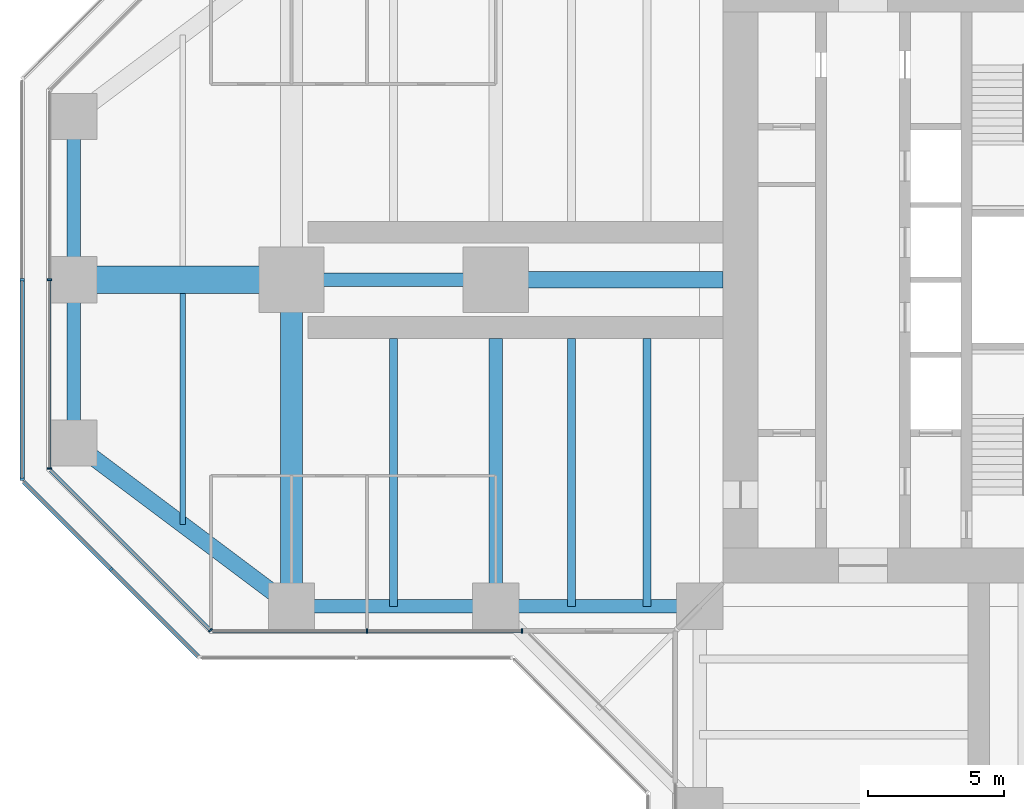
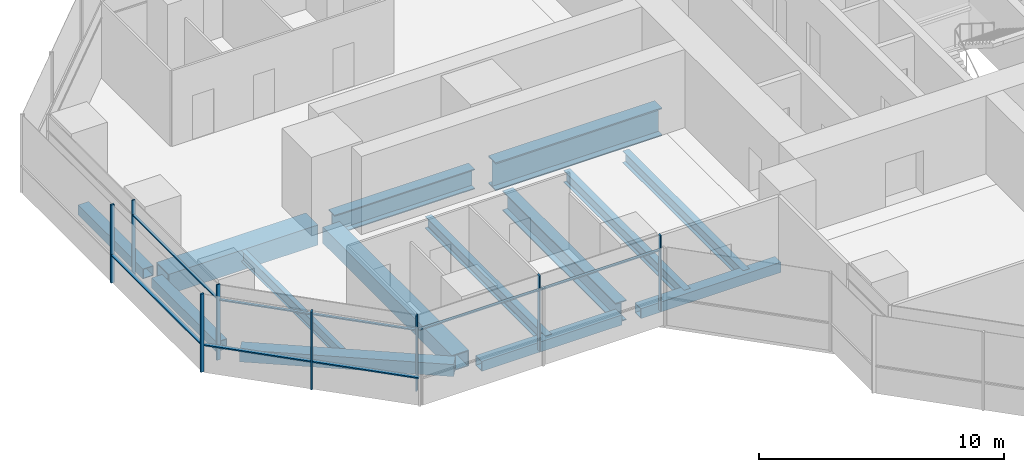
# One storey, part 3 of 20: 15 members, 14 beams, 5 elements without a shape of their own.
"""IFC4 building model written with IfcOpenShell, lengths in metres."""

from ifc_helpers import new_model, si_unit, direction, frame, origin, origin_2d, place, context, subcontext, project, spatial, rectangle, hollow_rectangle, i_section, extrude, material, material_profile, profile_set, type_object, element, aggregate, save


model = new_model("IFC4")

# Units and contexts
model_context = context("Model", 3, precision=1e-05, world=origin(), true_north=direction((0.0, 1.0)))
body_context = subcontext(model_context, "Body", "Model", "MODEL_VIEW")
ifc_project = project(units=[si_unit("LENGTHUNIT", "METRE"), si_unit("AREAUNIT", "SQUARE_METRE"), si_unit("VOLUMEUNIT", "CUBIC_METRE"), si_unit("PLANEANGLEUNIT", "RADIAN"), si_unit("MASSUNIT", "GRAM", prefix="KILO")], contexts=[model_context])

# Site, building, storey
site_placement = place(None, origin())
site = spatial("IfcSite", under=ifc_project, at=site_placement, CompositionType="ELEMENT")
building_placement = place(site_placement, origin())
building = spatial("IfcBuilding", under=site, at=building_placement, Name="Mizan Broadcast Tower", CompositionType="ELEMENT")
storey_placement = place(building_placement, frame((0.0, 0.0, 178.800048828125)))
storey = spatial("IfcBuildingStorey", under=building, at=storey_placement, Name="L41", CompositionType="ELEMENT", Elevation=178.800048828125)

# Beams
ifc_material_1 = material(Name="Steel S355", Category="steel")
ifc_material_profile_1 = material_profile(ifc_material_1, hollow_rectangle(XDim=0.5, YDim=0.5, WallThickness=0.030029296875, at=origin_2d()), Name="BOX 500x500x30")
ifc_profile_set_1 = profile_set([ifc_material_profile_1], Name="Steel S355")
beam_type_1 = type_object("IfcBeamType", Name="EDGE BEAM BOX 500x500x30", PredefinedType="SPANDREL", material=ifc_profile_set_1)
beam_1_placement = place(storey_placement, frame((-35.0, 5.639892578125, -0.380126953125), z_axis=(0.0, -1.0, 0.0), x_axis=(1.0, 0.0, 0.0)))
element("IfcBeam", 1, at=beam_1_placement, inside=storey, type_object=beam_type_1, Name="Edge beam BOX 500x500x30 L41 west arm", PredefinedType="SPANDREL", context=body_context, shape_type="SweptSolid", body=[
    extrude(hollow_rectangle(XDim=0.5, YDim=0.5, WallThickness=0.030029296875, at=origin_2d()), origin(), (0.0, 0.0, 1.0), 5.27978515625),
])
for number, where, z_axis, x_axis, name in (
    (2, (-12.449951171875, -12.0, -0.380126953125), (-1.0, 0.0, 0.0), (0.0, -1.0, 0.0), "Edge beam BOX 500x500x30 L41 west arm"),
    (3, (-19.949951171875, -12.0, -0.380126953125), (-1.0, 0.0, 0.0), (0.0, -1.0, 0.0), "Edge beam BOX 500x500x30 L41 west arm"),
):
    element("IfcBeam", number, at=place(storey_placement, frame(where, z_axis=z_axis, x_axis=x_axis)), inside=storey, type_object=beam_type_1, Name=name, PredefinedType="SPANDREL", context=body_context, shape_type="SweptSolid", body=[
        extrude(hollow_rectangle(XDim=0.5, YDim=0.5, WallThickness=0.030029296875, at=origin_2d()), origin(), (0.0, 0.0, 1.0), 6.60009765625),
    ])
beam_2_placement = place(storey_placement, frame((-35.0, -5.639892578125, -0.380126953125), z_axis=(0.0, 1.0, 0.0), x_axis=(-1.0, 0.0, 0.0)))
element("IfcBeam", 4, at=beam_2_placement, inside=storey, type_object=beam_type_1, Name="Edge beam BOX 500x500x30 L41 west arm", PredefinedType="SPANDREL", context=body_context, shape_type="SweptSolid", body=[
    extrude(hollow_rectangle(XDim=0.5, YDim=0.5, WallThickness=0.030029296875, at=origin_2d()), origin(), (0.0, 0.0, 1.0), 5.27978515625),
])
ifc_material_2 = material(Name="Steel S355", Category="steel")
ifc_material_profile_2 = material_profile(ifc_material_2, hollow_rectangle(XDim=0.60009765625, YDim=0.60009765625, WallThickness=0.030029296875, at=origin_2d()), Name="BOX 600x600x30")
ifc_profile_set_2 = profile_set([ifc_material_profile_2], Name="Steel S355")
beam_type_2 = type_object("IfcBeamType", Name="EDGE BEAM BOX 600x600x30", PredefinedType="SPANDREL", material=ifc_profile_set_2)
beam_3_placement = place(storey_placement, frame((-27.47998046875, -11.639892578125, -0.429931640625), z_axis=(-0.800013316712, 0.599982243973, 0.0), x_axis=(-0.599982243973, -0.800013316712, 0.0)))
element("IfcBeam", 5, at=beam_3_placement, inside=storey, type_object=beam_type_2, Name="Edge beam BOX 600x600x30 L41 west arm", PredefinedType="SPANDREL", context=body_context, shape_type="SweptSolid", body=[
    extrude(hollow_rectangle(XDim=0.60009765625, YDim=0.60009765625, WallThickness=0.030029296875, at=origin_2d()), origin(), (0.0, 0.0, 1.0), 8.7998046875),
])
ifc_material_3 = material(Name="Steel S460", Category="steel")
ifc_material_profile_3 = material_profile(ifc_material_3, hollow_rectangle(XDim=1.0, YDim=1.0, WallThickness=0.06005859375, at=origin_2d()), Name="BOX 1000x1000x60")
ifc_profile_set_3 = profile_set([ifc_material_profile_3], Name="Steel S460")
beam_type_3 = type_object("IfcBeamType", Name="GIRDER BOX 1000x1000x60", PredefinedType="BEAM", material=ifc_profile_set_3)
beam_4_placement = place(storey_placement, frame((-27.47998046875, 0.0, -0.630126953125), z_axis=(-1.0, 0.0, 0.0), x_axis=(0.0, -1.0, 0.0)))
element("IfcBeam", 6, at=beam_4_placement, inside=storey, type_object=beam_type_3, Name="Girder BOX 1000x1000x60 L41 west arm", PredefinedType="BEAM", context=body_context, shape_type="SweptSolid", body=[
    extrude(hollow_rectangle(XDim=1.0, YDim=1.0, WallThickness=0.06005859375, at=origin_2d()), origin(), (0.0, 0.0, 1.0), 7.0400390625),
])
ifc_material_4 = material(Name="Steel S460", Category="steel")
ifc_material_profile_4 = material_profile(ifc_material_4, hollow_rectangle(XDim=0.800048828125, YDim=0.800048828125, WallThickness=0.050048828125, at=origin_2d()), Name="BOX 800x800x50")
ifc_profile_set_4 = profile_set([ifc_material_profile_4], Name="Steel S460")
beam_type_4 = type_object("IfcBeamType", Name="GIRDER BOX 800x800x50", PredefinedType="BEAM", material=ifc_profile_set_4)
beam_5_placement = place(storey_placement, frame((-27.0, -11.280029296875, -0.530029296875), z_axis=(0.0, 1.0, 0.0), x_axis=(-1.0, 0.0, 0.0)))
element("IfcBeam", 7, at=beam_5_placement, inside=storey, type_object=beam_type_4, Name="Girder BOX 800x800x50 L41 west arm", PredefinedType="BEAM", context=body_context, shape_type="SweptSolid", body=[
    extrude(hollow_rectangle(XDim=0.800048828125, YDim=0.800048828125, WallThickness=0.050048828125, at=origin_2d()), origin(), (0.0, 0.0, 1.0), 10.56005859375),
])
ifc_material_5 = material(Name="Steel S460", Category="steel")
ifc_material_profile_5 = material_profile(ifc_material_5, i_section(OverallWidth=0.5, OverallDepth=1.0, WebThickness=0.02490234375, FlangeThickness=0.050048828125, at=origin_2d()), Name="WPG 1000x500")
ifc_profile_set_5 = profile_set([ifc_material_profile_5], Name="Steel S460")
beam_type_5 = type_object("IfcBeamType", Name="GIRDER WPG 1000x500", PredefinedType="BEAM", material=ifc_profile_set_5)
beam_6_placement = place(storey_placement, frame((-19.949951171875, 0.0, -0.630126953125), z_axis=(-1.0, 0.0, 0.0), x_axis=(0.0, -1.0, 0.0)))
element("IfcBeam", 8, at=beam_6_placement, inside=storey, type_object=beam_type_5, Name="Girder WPG 1000x500 L41 west arm", PredefinedType="BEAM", context=body_context, shape_type="SweptSolid", body=[
    extrude(i_section(OverallWidth=0.5, OverallDepth=1.0, WebThickness=0.02490234375, FlangeThickness=0.050048828125, at=origin_2d()), origin(), (0.0, 0.0, 1.0), 6.60009765625),
])
beam_7_placement = place(storey_placement, frame((-19.5, -11.408935546875, -0.630126953125), z_axis=(0.0, 1.0, 0.0), x_axis=(-1.0, 0.0, 0.0)))
element("IfcBeam", 9, at=beam_7_placement, inside=storey, type_object=beam_type_5, Name="Girder WPG 1000x500 L41 west arm", PredefinedType="BEAM", context=body_context, shape_type="SweptSolid", body=[
    extrude(i_section(OverallWidth=0.5, OverallDepth=1.0, WebThickness=0.02490234375, FlangeThickness=0.050048828125, at=origin_2d()), origin(), (0.0, 0.0, 1.0), 9.259033203125),
])
ifc_material_6 = material(Name="Steel S460", Category="steel")
ifc_material_profile_6 = material_profile(ifc_material_6, i_section(OverallWidth=0.60009765625, OverallDepth=1.39990234375, WebThickness=0.02490234375, FlangeThickness=0.06005859375, at=origin_2d()), Name="WPG 1400x600")
ifc_profile_set_6 = profile_set([ifc_material_profile_6], Name="Steel S460")
beam_type_6 = type_object("IfcBeamType", Name="GIRDER WPG 1400x600", PredefinedType="BEAM", material=ifc_profile_set_6)
beam_8_placement = place(storey_placement, frame((-11.14990234375, 0.0, -0.830078125), z_axis=(-1.0, 0.0, 0.0), x_axis=(0.0, -1.0, 0.0)))
element("IfcBeam", 10, at=beam_8_placement, inside=storey, type_object=beam_type_6, Name="Girder WPG 1400x600 L41 west arm", PredefinedType="BEAM", context=body_context, shape_type="SweptSolid", body=[
    extrude(i_section(OverallWidth=0.60009765625, OverallDepth=1.39990234375, WebThickness=0.02490234375, FlangeThickness=0.06005859375, at=origin_2d()), origin(), (0.0, 0.0, 1.0), 7.84912109375),
])

# Curtain wall, members
ifc_material_7 = material(Name="Aluminium framed glazing", Category="aluminium")
curtain_wall_type_1 = type_object("IfcCurtainWallType", Name="INNER SKIN MID ZONE", PredefinedType="USERDEFINED", material=ifc_material_7)
curtain_wall_1_placement = place(storey_placement, origin())
curtain_wall_1 = element("IfcCurtainWall", 11, at=curtain_wall_1_placement, inside=storey, type_object=curtain_wall_type_1, Name="Inner skin mid zone L41 W end", ObjectType="INNER SKIN MID ZONE", PredefinedType="USERDEFINED")
ifc_material_8 = material(Name="Aluminium, pale anodised", Category="aluminium")
ifc_material_profile_7 = material_profile(ifc_material_8, rectangle(XDim=0.159912109375, YDim=0.06005859375, at=origin_2d()), Name="MULLION 160x60")
ifc_profile_set_7 = profile_set([ifc_material_profile_7], Name="Aluminium, pale anodised")
member_type_1 = type_object("IfcMemberType", Name="INNER SKIN MULLION 60x160", PredefinedType="MULLION", material=ifc_profile_set_7)
member_1_placement = place(storey_placement, frame((-35.89990234375, 0.0, 0.0), z_axis=(0.0, 0.0, 1.0), x_axis=(1.0, 0.0, 0.0)))
member_1 = element("IfcMember", 12, at=member_1_placement, type_object=member_type_1, Name="Inner skin mid zone L41 W end mullion 2", PredefinedType="MULLION", context=body_context, shape_type="SweptSolid", body=[
    extrude(rectangle(XDim=0.159912109375, YDim=0.06005859375, at=origin_2d()), origin(), (0.0, 0.0, 1.0), 3.77001953125),
])
member_2_placement = place(storey_placement, frame((-35.89990234375, -6.928466796875, 0.0), z_axis=(0.0, 0.0, 1.0), x_axis=(1.0, 0.0, 0.0)))
member_2 = element("IfcMember", 13, at=member_2_placement, type_object=member_type_1, Name="Inner skin mid zone L41 W end mullion 3", PredefinedType="MULLION", context=body_context, shape_type="SweptSolid", body=[
    extrude(rectangle(XDim=0.159912109375, YDim=0.06005859375, at=origin_2d()), origin(), (0.0, 0.0, 1.0), 3.77001953125),
])

# Curtain wall, member
curtain_wall_2_placement = place(storey_placement, origin())
curtain_wall_2 = element("IfcCurtainWall", 14, at=curtain_wall_2_placement, inside=storey, type_object=curtain_wall_type_1, Name="Inner skin mid zone L41 W chamfer", ObjectType="INNER SKIN MID ZONE", PredefinedType="USERDEFINED")
member_3_placement = place(storey_placement, frame((-29.979736328125, -12.87890625, 0.0), z_axis=(0.0, 0.0, 1.0), x_axis=(0.707106781187, 0.707106781187, 0.0)))
member_3 = element("IfcMember", 15, at=member_3_placement, type_object=member_type_1, Name="Inner skin mid zone L41 W chamfer mullion 2", PredefinedType="MULLION", context=body_context, shape_type="SweptSolid", body=[
    extrude(rectangle(XDim=0.159912109375, YDim=0.06005859375, at=origin_2d()), origin(), (0.0, 0.0, 1.0), 3.77001953125),
])

# Curtain wall, members
curtain_wall_3_placement = place(storey_placement, origin())
curtain_wall_3 = element("IfcCurtainWall", 16, at=curtain_wall_3_placement, inside=storey, type_object=curtain_wall_type_1, Name="Inner skin mid zone L41 W side", ObjectType="INNER SKIN MID ZONE", PredefinedType="USERDEFINED")
member_4_placement = place(storey_placement, frame((-24.229248046875, -12.89990234375, 0.0), z_axis=(0.0, 0.0, 1.0), x_axis=(0.0, 1.0, 0.0)))
member_4 = element("IfcMember", 17, at=member_4_placement, type_object=member_type_1, Name="Inner skin mid zone L41 W side mullion 2", PredefinedType="MULLION", context=body_context, shape_type="SweptSolid", body=[
    extrude(rectangle(XDim=0.159912109375, YDim=0.06005859375, at=origin_2d()), origin(), (0.0, 0.0, 1.0), 3.77001953125),
])
member_5_placement = place(storey_placement, frame((-18.530029296875, -12.89990234375, 0.0), z_axis=(0.0, 0.0, 1.0), x_axis=(0.0, 1.0, 0.0)))
member_5 = element("IfcMember", 18, at=member_5_placement, type_object=member_type_1, Name="Inner skin mid zone L41 W side mullion 3", PredefinedType="MULLION", context=body_context, shape_type="SweptSolid", body=[
    extrude(rectangle(XDim=0.159912109375, YDim=0.06005859375, at=origin_2d()), origin(), (0.0, 0.0, 1.0), 3.77001953125),
])

# Member
ifc_material_9 = material(Name="Aluminium, pale anodised", Category="aluminium")
ifc_material_profile_8 = material_profile(ifc_material_9, rectangle(XDim=0.1201171875, YDim=0.06005859375, at=origin_2d()), Name="TRANSOM 120x60")
ifc_profile_set_8 = profile_set([ifc_material_profile_8], Name="Aluminium, pale anodised")
member_type_2 = type_object("IfcMemberType", Name="INNER SKIN TRANSOM 60x120", PredefinedType="USERDEFINED", material=ifc_profile_set_8)
member_6_placement = place(storey_placement, frame((-35.89990234375, -0.030029296875, 3.030029296875), z_axis=(0.0, -1.0, 0.0), x_axis=(1.0, 0.0, 0.0)))
member_6 = element("IfcMember", 19, at=member_6_placement, type_object=member_type_2, Name="Inner skin mid zone L41 W end transom 2.1", ObjectType="TRANSOM", PredefinedType="USERDEFINED", context=body_context, shape_type="SweptSolid", body=[
    extrude(rectangle(XDim=0.1201171875, YDim=0.06005859375, at=origin_2d()), origin(), (0.0, 0.0, 1.0), 6.86865234375),
])

aggregate(curtain_wall_1, [member_1, member_2, member_6])

member_7_placement = place(storey_placement, frame((-35.857666015625, -7.0009765625, 3.030029296875), z_axis=(0.707106781187, -0.707106781187, 0.0), x_axis=(0.707106781187, 0.707106781187, 0.0)))
member_7 = element("IfcMember", 20, at=member_7_placement, type_object=member_type_2, Name="Inner skin mid zone L41 W chamfer transom 1.1", ObjectType="TRANSOM", PredefinedType="USERDEFINED", context=body_context, shape_type="SweptSolid", body=[
    extrude(rectangle(XDim=0.1201171875, YDim=0.06005859375, at=origin_2d()), origin(), (0.0, 0.0, 1.0), 8.28271484375),
])

aggregate(curtain_wall_2, [member_3, member_7])

member_8_placement = place(storey_placement, frame((-29.898681640625, -12.89990234375, 3.030029296875), z_axis=(1.0, 0.0, 0.0), x_axis=(0.0, 1.0, 0.0)))
member_8 = element("IfcMember", 21, at=member_8_placement, type_object=member_type_2, Name="Inner skin mid zone L41 W side transom 1.1", ObjectType="TRANSOM", PredefinedType="USERDEFINED", context=body_context, shape_type="SweptSolid", body=[
    extrude(rectangle(XDim=0.1201171875, YDim=0.06005859375, at=origin_2d()), origin(), (0.0, 0.0, 1.0), 5.639404296875),
])

member_9_placement = place(storey_placement, frame((-24.19921875, -12.89990234375, 3.030029296875), z_axis=(1.0, 0.0, 0.0), x_axis=(0.0, 1.0, 0.0)))
member_9 = element("IfcMember", 22, at=member_9_placement, type_object=member_type_2, Name="Inner skin mid zone L41 W side transom 2.1", ObjectType="TRANSOM", PredefinedType="USERDEFINED", context=body_context, shape_type="SweptSolid", body=[
    extrude(rectangle(XDim=0.1201171875, YDim=0.06005859375, at=origin_2d()), origin(), (0.0, 0.0, 1.0), 5.63916015625),
])

aggregate(curtain_wall_3, [member_4, member_5, member_8, member_9])

# Curtain wall, members
ifc_material_10 = material(Name="Aluminium framed glazing", Category="aluminium")
curtain_wall_type_2 = type_object("IfcCurtainWallType", Name="OUTER SKIN", PredefinedType="USERDEFINED", material=ifc_material_10)
curtain_wall_4_placement = place(storey_placement, origin())
curtain_wall_4 = element("IfcCurtainWall", 23, at=curtain_wall_4_placement, inside=storey, type_object=curtain_wall_type_2, Name="Outer skin L41 W end", ObjectType="OUTER SKIN", PredefinedType="USERDEFINED")
ifc_material_11 = material(Name="Aluminium, pale anodised", Category="aluminium")
ifc_material_profile_9 = material_profile(ifc_material_11, rectangle(XDim=0.159912109375, YDim=0.080078125, at=origin_2d()), Name="MULLION 160x80")
ifc_profile_set_9 = profile_set([ifc_material_profile_9], Name="Aluminium, pale anodised")
member_type_3 = type_object("IfcMemberType", Name="OUTER SKIN MULLION 80x160", PredefinedType="MULLION", material=ifc_profile_set_9)
member_10_placement = place(storey_placement, frame((-36.89990234375, 0.0, 0.0), z_axis=(0.0, 0.0, 1.0), x_axis=(1.0, 0.0, 0.0)))
member_10 = element("IfcMember", 24, at=member_10_placement, type_object=member_type_3, Name="Outer skin L41 W end mullion 2", PredefinedType="MULLION", context=body_context, shape_type="SweptSolid", body=[
    extrude(rectangle(XDim=0.159912109375, YDim=0.080078125, at=origin_2d()), origin(), (0.0, 0.0, 1.0), 3.89990234375),
])
member_11_placement = place(storey_placement, frame((-36.89990234375, -7.332763671875, 0.0), z_axis=(0.0, 0.0, 1.0), x_axis=(1.0, 0.0, 0.0)))
member_11 = element("IfcMember", 25, at=member_11_placement, type_object=member_type_3, Name="Outer skin L41 W end mullion 3", PredefinedType="MULLION", context=body_context, shape_type="SweptSolid", body=[
    extrude(rectangle(XDim=0.159912109375, YDim=0.080078125, at=origin_2d()), origin(), (0.0, 0.0, 1.0), 3.89990234375),
])

# Curtain wall, member
curtain_wall_5_placement = place(storey_placement, origin())
curtain_wall_5 = element("IfcCurtainWall", 26, at=curtain_wall_5_placement, inside=storey, type_object=curtain_wall_type_2, Name="Outer skin L41 W chamfer", ObjectType="OUTER SKIN", PredefinedType="USERDEFINED")
member_12_placement = place(storey_placement, frame((-33.636474609375, -10.636474609375, 0.0), z_axis=(0.0, 0.0, 1.0), x_axis=(0.707106781187, 0.707106781187, 0.0)))
member_12 = element("IfcMember", 27, at=member_12_placement, type_object=member_type_3, Name="Outer skin L41 W chamfer mullion 2", PredefinedType="MULLION", context=body_context, shape_type="SweptSolid", body=[
    extrude(rectangle(XDim=0.159912109375, YDim=0.080078125, at=origin_2d()), origin(), (0.0, 0.0, 1.0), 3.89990234375),
])

# Member
ifc_material_12 = material(Name="Aluminium, pale anodised", Category="aluminium")
ifc_material_profile_10 = material_profile(ifc_material_12, rectangle(XDim=0.159912109375, YDim=0.06005859375, at=origin_2d()), Name="TRANSOM 160x60")
ifc_profile_set_10 = profile_set([ifc_material_profile_10], Name="Aluminium, pale anodised")
member_type_4 = type_object("IfcMemberType", Name="OUTER SKIN TRANSOM 60x160", PredefinedType="USERDEFINED", material=ifc_profile_set_10)
member_13_placement = place(storey_placement, frame((-36.89990234375, -0.0400390625, 1.39990234375), z_axis=(0.0, -1.0, 0.0), x_axis=(1.0, 0.0, 0.0)))
member_13 = element("IfcMember", 28, at=member_13_placement, type_object=member_type_4, Name="Outer skin L41 W end transom 2.1", ObjectType="TRANSOM", PredefinedType="USERDEFINED", context=body_context, shape_type="SweptSolid", body=[
    extrude(rectangle(XDim=0.159912109375, YDim=0.06005859375, at=origin_2d()), origin(), (0.0, 0.0, 1.0), 7.252685546875),
])

aggregate(curtain_wall_4, [member_10, member_11, member_13])

member_14_placement = place(storey_placement, frame((-36.843505859375, -7.429443359375, 1.39990234375), z_axis=(0.707106781187, -0.707106781187, 0.0), x_axis=(0.707106781187, 0.707106781187, 0.0)))
member_14 = element("IfcMember", 29, at=member_14_placement, type_object=member_type_4, Name="Outer skin L41 W chamfer transom 1.1", ObjectType="TRANSOM", PredefinedType="USERDEFINED", context=body_context, shape_type="SweptSolid", body=[
    extrude(rectangle(XDim=0.159912109375, YDim=0.06005859375, at=origin_2d()), origin(), (0.0, 0.0, 1.0), 4.495361328125),
])

member_15_placement = place(storey_placement, frame((-33.608154296875, -10.664794921875, 1.39990234375), z_axis=(0.707106781187, -0.707106781187, 0.0), x_axis=(0.707106781187, 0.707106781187, 0.0)))
member_15 = element("IfcMember", 30, at=member_15_placement, type_object=member_type_4, Name="Outer skin L41 W chamfer transom 2.1", ObjectType="TRANSOM", PredefinedType="USERDEFINED", context=body_context, shape_type="SweptSolid", body=[
    extrude(rectangle(XDim=0.159912109375, YDim=0.06005859375, at=origin_2d()), origin(), (0.0, 0.0, 1.0), 4.495361328125),
])

aggregate(curtain_wall_5, [member_12, member_14, member_15])

# Beams
ifc_material_13 = material(Name="Steel S355", Category="steel")
ifc_material_profile_11 = material_profile(ifc_material_13, i_section(OverallWidth=0.300048828125, OverallDepth=0.590087890625, WebThickness=0.012939453125, FlangeThickness=0.02490234375, FilletRadius=0.027099609375, at=origin_2d()), Name="HEA 600")
ifc_profile_set_11 = profile_set([ifc_material_profile_11], Name="Steel S355")
beam_type_7 = type_object("IfcBeamType", Name="SECONDARY BEAM HEA 600", PredefinedType="JOIST", material=ifc_profile_set_11)
for number, where, z_axis, x_axis, name in (
    (31, (-13.933349609375, -12.0, -0.425048828125), (0.0, 1.0, 0.0), (-1.0, 0.0, 0.0), "Secondary beam HEA 600 L41 west arm"),
    (32, (-16.716552734375, -12.0, -0.425048828125), (0.0, 1.0, 0.0), (-1.0, 0.0, 0.0), "Secondary beam HEA 600 L41 west arm"),
    (33, (-23.25, -12.0, -0.425048828125), (0.0, 1.0, 0.0), (-1.0, 0.0, 0.0), "Secondary beam HEA 600 L41 west arm"),
):
    element("IfcBeam", number, at=place(storey_placement, frame(where, z_axis=z_axis, x_axis=x_axis)), inside=storey, type_object=beam_type_7, Name=name, PredefinedType="JOIST", context=body_context, shape_type="SweptSolid", body=[
        extrude(i_section(OverallWidth=0.300048828125, OverallDepth=0.590087890625, WebThickness=0.012939453125, FlangeThickness=0.02490234375, FilletRadius=0.027099609375, at=origin_2d()), origin(), (0.0, 0.0, 1.0), 9.85009765625),
    ])
ifc_material_14 = material(Name="Steel S355", Category="steel")
ifc_material_profile_12 = material_profile(ifc_material_14, i_section(OverallWidth=0.2099609375, OverallDepth=0.550048828125, WebThickness=0.010986328125, FlangeThickness=0.01708984375, FilletRadius=0.02392578125, at=origin_2d()), Name="IPE 550")
ifc_profile_set_12 = profile_set([ifc_material_profile_12], Name="Steel S355")
beam_type_8 = type_object("IfcBeamType", Name="SECONDARY BEAM IPE 550", PredefinedType="JOIST", material=ifc_profile_set_12)
beam_9_placement = place(storey_placement, frame((-31.0, -9.0, -0.405029296875), z_axis=(0.0, 1.0, 0.0), x_axis=(-1.0, 0.0, 0.0)))
element("IfcBeam", 34, at=beam_9_placement, inside=storey, type_object=beam_type_8, Name="Secondary beam IPE 550 L41 west arm", PredefinedType="JOIST", context=body_context, shape_type="SweptSolid", body=[
    extrude(i_section(OverallWidth=0.2099609375, OverallDepth=0.550048828125, WebThickness=0.010986328125, FlangeThickness=0.01708984375, FilletRadius=0.02392578125, at=origin_2d()), origin(), (0.0, 0.0, 1.0), 8.5),
])

save(model, "model.ifc")
